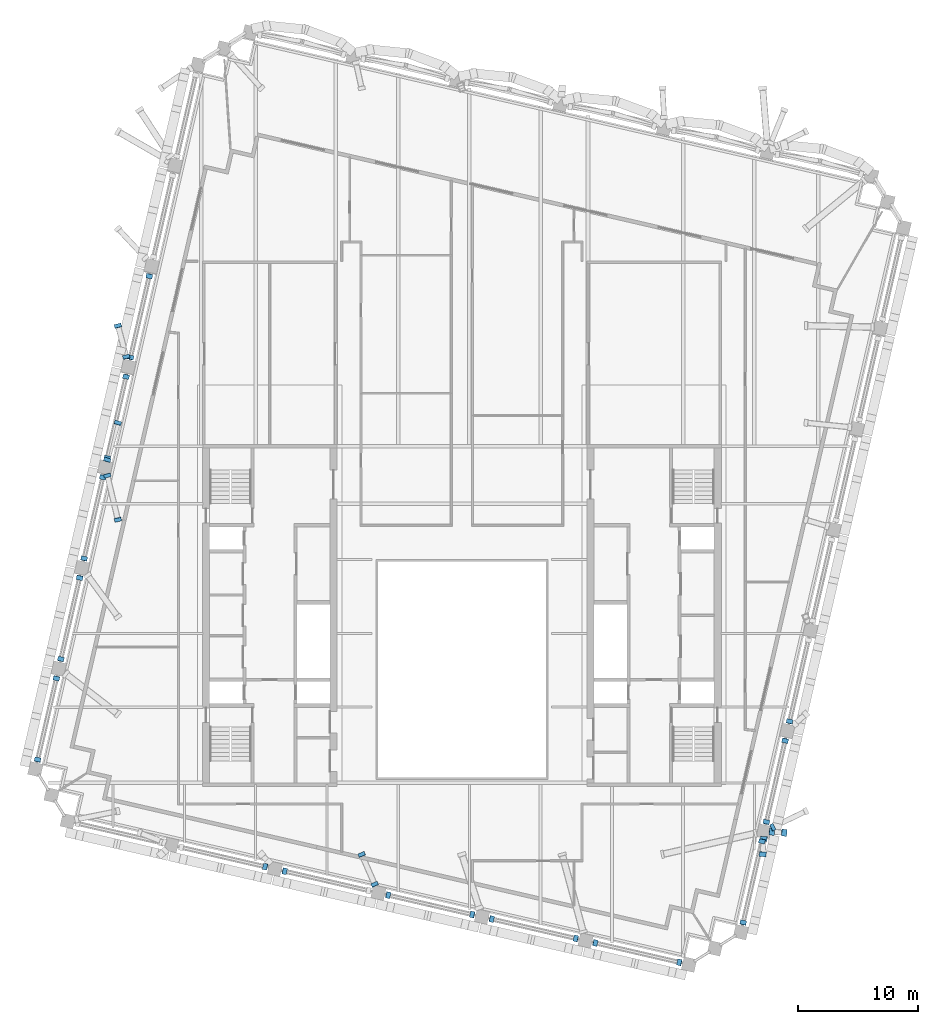
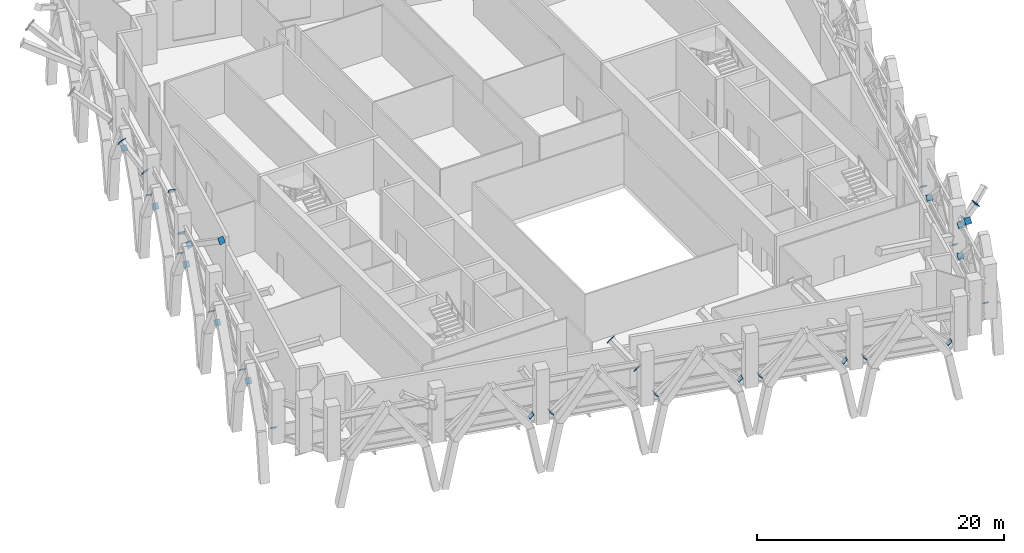
# One storey, part 14 of 19: 36 discrete accessories.
"""IFC4 building model written with IfcOpenShell, lengths in metres."""

from ifc_helpers import new_model, si_unit, direction, frame, origin, origin_2d, place, context, subcontext, project, spatial, rectangle, extrude, material, material_profile, profile_set, type_object, element, save


model = new_model("IFC4")

# Units and contexts
model_context = context("Model", 3, precision=1e-05, world=origin(), true_north=direction((0.0, 1.0)))
body_context = subcontext(model_context, "Body", "Model", "MODEL_VIEW")
ifc_project = project(units=[si_unit("LENGTHUNIT", "METRE"), si_unit("AREAUNIT", "SQUARE_METRE"), si_unit("VOLUMEUNIT", "CUBIC_METRE"), si_unit("PLANEANGLEUNIT", "RADIAN"), si_unit("MASSUNIT", "GRAM", prefix="KILO")], contexts=[model_context])

# Site, building, storey
site_placement = place(None, origin())
site = spatial("IfcSite", under=ifc_project, at=site_placement, CompositionType="ELEMENT")
building_placement = place(site_placement, origin())
building = spatial("IfcBuilding", under=site, at=building_placement, Name="Ogive Exchange Tower", CompositionType="ELEMENT")
storey_placement = place(building_placement, frame((0.0, 0.0, 297.60009765625)))
storey = spatial("IfcBuildingStorey", under=building, at=storey_placement, Name="L65", CompositionType="ELEMENT", Elevation=297.60009765625)

# Discrete accessories
ifc_material = material(Name="Steel ASTM A572 Gr50", Category="steel")
ifc_material_profile_1 = material_profile(ifc_material, rectangle(XDim=0.52587890625, YDim=0.52587890625, at=origin_2d()), Name="PL 526 x 526 x 25")
ifc_profile_set_1 = profile_set([ifc_material_profile_1], Name="Steel ASTM A572 Gr50")
discrete_accessory_type_1 = type_object("IfcDiscreteAccessoryType", Name="Gusset plate 526 x 526 x 25", PredefinedType="USERDEFINED", material=ifc_profile_set_1)
discrete_accessory_1_placement = place(storey_placement, frame((-16.377685546875, -9.431640625, 0.66796875), z_axis=(-0.716547696398, 0.166867271764, 0.677284808925), x_axis=(-0.226807835475, -0.973939528804, 0.0)))
element("IfcDiscreteAccessory", 1, at=discrete_accessory_1_placement, inside=storey, type_object=discrete_accessory_type_1, Name="Belt truss diagonal 2b end plate A", ObjectType="GUSSET PLATE", PredefinedType="USERDEFINED", context=body_context, shape_type="SweptSolid", body=[
    extrude(rectangle(XDim=0.52587890625, YDim=0.52587890625, at=origin_2d()), origin(), (0.0, 0.0, 1.0), 0.02490234375),
])
for number, where, z_axis, x_axis, name in (
    (2, (-14.770751953125, -9.802734375, 0.66796875), (0.721273600701, -0.16569798935, 0.672538897951), (0.223897510936, 0.974612694662, 0.0), "Belt truss diagonal 3a end plate A"),
    (3, (-6.147705078125, -11.79345703125, 0.66796875), (0.721273600701, -0.16569798935, 0.672538897951), (0.223897510936, 0.974612694662, 0.0), "Belt truss diagonal 4a end plate A"),
    (4, (0.868896484375, -13.413330078125, 0.66796875), (-0.721273600701, 0.16569798935, 0.672538897951), (-0.223897510936, -0.974612694662, 0.0), "Belt truss diagonal 4b end plate A"),
    (5, (2.4755859375, -13.7841796875, 0.66796875), (0.720077429581, -0.175153969358, 0.671423549204), (0.236351579148, 0.971667603162, 0.0), "Belt truss diagonal 5a end plate A"),
    (6, (9.491943359375, -15.404296875, 0.66796875), (-0.720077429581, 0.175153969358, 0.671423549204), (-0.236351579148, -0.971667603162, 0.0), "Belt truss diagonal 5b end plate A"),
):
    element("IfcDiscreteAccessory", number, at=place(storey_placement, frame(where, z_axis=z_axis, x_axis=x_axis)), inside=storey, type_object=discrete_accessory_type_1, Name=name, ObjectType="GUSSET PLATE", PredefinedType="USERDEFINED", context=body_context, shape_type="SweptSolid", body=[
        extrude(rectangle(XDim=0.52587890625, YDim=0.52587890625, at=origin_2d()), origin(), (0.0, 0.0, 1.0), 0.025146484375),
    ])
for number, where, z_axis, x_axis, name in (
    (7, (11.098876953125, -15.775146484375, 0.66796875), (0.716547696398, -0.166867271764, 0.677284808925), (0.226807835475, 0.973939528804, 0.0), "Belt truss diagonal 6a end plate A"),
    (8, (18.114990234375, -17.39501953125, 0.66796875), (-0.716547696398, 0.166867271764, 0.677284808925), (-0.226807835475, -0.973939528804, 0.0), "Belt truss diagonal 6b end plate A"),
    (9, (23.419921875, -14.0869140625, 0.66796875), (0.156255662749, 0.712916461293, 0.683618524527), (-0.976812641419, 0.214095921407, 0.0), "Belt truss diagonal 9a end plate A"),
):
    element("IfcDiscreteAccessory", number, at=place(storey_placement, frame(where, z_axis=z_axis, x_axis=x_axis)), inside=storey, type_object=discrete_accessory_type_1, Name=name, ObjectType="GUSSET PLATE", PredefinedType="USERDEFINED", context=body_context, shape_type="SweptSolid", body=[
        extrude(rectangle(XDim=0.52587890625, YDim=0.52587890625, at=origin_2d()), origin(), (0.0, 0.0, 1.0), 0.02490234375),
    ])
discrete_accessory_2_placement = place(storey_placement, frame((24.986083984375, -7.302734375, 0.66796875), z_axis=(-0.16576099239, -0.711797202617, 0.682545262784), x_axis=(0.973939528804, -0.226807835475, 0.0)))
element("IfcDiscreteAccessory", 10, at=discrete_accessory_2_placement, inside=storey, type_object=discrete_accessory_type_1, Name="Belt truss diagonal 9b end plate A", ObjectType="GUSSET PLATE", PredefinedType="USERDEFINED", context=body_context, shape_type="SweptSolid", body=[
    extrude(rectangle(XDim=0.52587890625, YDim=0.52587890625, at=origin_2d()), origin(), (0.0, 0.0, 1.0), 0.025146484375),
])
discrete_accessory_3_placement = place(storey_placement, frame((25.353515625, -5.711669921875, 0.66796875), z_axis=(0.156196085714, 0.722406896428, 0.673595619642), x_axis=(-0.97741416544, 0.211332792528, 0.0)))
element("IfcDiscreteAccessory", 11, at=discrete_accessory_3_placement, inside=storey, type_object=discrete_accessory_type_1, Name="Belt truss diagonal 10a end plate A", ObjectType="GUSSET PLATE", PredefinedType="USERDEFINED", context=body_context, shape_type="SweptSolid", body=[
    extrude(rectangle(XDim=0.52587890625, YDim=0.52587890625, at=origin_2d()), origin(), (0.0, 0.0, 1.0), 0.02490234375),
])
discrete_accessory_4_placement = place(storey_placement, frame((26.919677734375, 1.072509765625, 0.66796875), z_axis=(-0.165792520872, -0.7021800884, 0.692427587172), x_axis=(0.97323960179, -0.229792683756, 0.0)))
element("IfcDiscreteAccessory", 12, at=discrete_accessory_4_placement, inside=storey, type_object=discrete_accessory_type_1, Name="Belt truss diagonal 10b end plate A", ObjectType="GUSSET PLATE", PredefinedType="USERDEFINED", context=body_context, shape_type="SweptSolid", body=[
    extrude(rectangle(XDim=0.52587890625, YDim=0.52587890625, at=origin_2d()), origin(), (0.0, 0.0, 1.0), 0.025146484375),
])
for number, where, z_axis, x_axis, name in (
    (13, (27.287109375, 2.663818359375, 0.66796875), (0.156196085714, 0.722406896428, 0.673595619642), (-0.97741416544, 0.211332792528, 0.0), "Belt truss diagonal 11a end plate A"),
    (14, (-26.0341796875, 39.76318359375, 0.66796875), (-0.15734745153, -0.688395100443, 0.708063531884), (0.974858506572, -0.222824801502, 0.0), "Belt truss diagonal 28a end plate A"),
):
    element("IfcDiscreteAccessory", number, at=place(storey_placement, frame(where, z_axis=z_axis, x_axis=x_axis)), inside=storey, type_object=discrete_accessory_type_1, Name=name, ObjectType="GUSSET PLATE", PredefinedType="USERDEFINED", context=body_context, shape_type="SweptSolid", body=[
        extrude(rectangle(XDim=0.52587890625, YDim=0.52587890625, at=origin_2d()), origin(), (0.0, 0.0, 1.0), 0.02490234375),
    ])
discrete_accessory_5_placement = place(storey_placement, frame((-27.600341796875, 32.97900390625, 0.66796875), z_axis=(0.165603619344, 0.730604202988, 0.662414477376), x_axis=(-0.975260429307, 0.221059030643, 0.0)))
element("IfcDiscreteAccessory", 15, at=discrete_accessory_5_placement, inside=storey, type_object=discrete_accessory_type_1, Name="Belt truss diagonal 28b end plate A", ObjectType="GUSSET PLATE", PredefinedType="USERDEFINED", context=body_context, shape_type="SweptSolid", body=[
    extrude(rectangle(XDim=0.52587890625, YDim=0.52587890625, at=origin_2d()), origin(), (0.0, 0.0, 1.0), 0.025146484375),
])
for number, where, z_axis, x_axis, name in (
    (16, (-27.9677734375, 31.387939453125, 0.66796875), (-0.157362671093, -0.698296852974, 0.698296852974), (0.97553613825, -0.219839129747, 0.0), "Belt truss diagonal 29a end plate A"),
    (17, (-29.533935546875, 24.603759765625, 0.66796875), (0.166786942836, 0.72601375117, 0.667147771345), (-0.974612694662, 0.223897510936, 0.0), "Belt truss diagonal 29b end plate A"),
    (18, (-29.9013671875, 23.012451171875, 0.66796875), (-0.157362671093, -0.698296852974, 0.698296852974), (0.97553613825, -0.219839129747, 0.0), "Belt truss diagonal 30a end plate A"),
):
    element("IfcDiscreteAccessory", number, at=place(storey_placement, frame(where, z_axis=z_axis, x_axis=x_axis)), inside=storey, type_object=discrete_accessory_type_1, Name=name, ObjectType="GUSSET PLATE", PredefinedType="USERDEFINED", context=body_context, shape_type="SweptSolid", body=[
        extrude(rectangle(XDim=0.52587890625, YDim=0.52587890625, at=origin_2d()), origin(), (0.0, 0.0, 1.0), 0.02490234375),
    ])
for number, where, z_axis, x_axis, name in (
    (19, (-31.467529296875, 16.228271484375, 0.66796875), (0.16569798935, 0.721273600701, 0.672538897951), (-0.974612694662, 0.223897510936, 0.0), "Belt truss diagonal 30b end plate A"),
    (20, (-31.8349609375, 14.63720703125, 0.66796875), (-0.155215495936, -0.70817070021, 0.688768763218), (0.976812641419, -0.214095921407, 0.0), "Belt truss diagonal 31a end plate A"),
):
    element("IfcDiscreteAccessory", number, at=place(storey_placement, frame(where, z_axis=z_axis, x_axis=x_axis)), inside=storey, type_object=discrete_accessory_type_1, Name=name, ObjectType="GUSSET PLATE", PredefinedType="USERDEFINED", context=body_context, shape_type="SweptSolid", body=[
        extrude(rectangle(XDim=0.52587890625, YDim=0.52587890625, at=origin_2d()), origin(), (0.0, 0.0, 1.0), 0.025146484375),
    ])
for number, where, z_axis, x_axis, name in (
    (21, (-33.401123046875, 7.85302734375, 0.66796875), (0.166867271764, 0.716547696398, 0.677284808925), (-0.973939528804, 0.226807835475, 0.0), "Belt truss diagonal 31b end plate A"),
    (22, (-33.7685546875, 6.26171875, 0.66796875), (-0.166915524868, -0.706936340617, 0.687299220044), (0.97323960179, -0.229792683756, 0.0), "Belt truss diagonal 32a end plate A"),
):
    element("IfcDiscreteAccessory", number, at=place(storey_placement, frame(where, z_axis=z_axis, x_axis=x_axis)), inside=storey, type_object=discrete_accessory_type_1, Name=name, ObjectType="GUSSET PLATE", PredefinedType="USERDEFINED", context=body_context, shape_type="SweptSolid", body=[
        extrude(rectangle(XDim=0.52587890625, YDim=0.52587890625, at=origin_2d()), origin(), (0.0, 0.0, 1.0), 0.02490234375),
    ])
discrete_accessory_6_placement = place(storey_placement, frame((-35.334716796875, -0.5224609375, 0.66796875), z_axis=(0.16576099239, 0.711797202617, 0.682545262784), x_axis=(-0.973939528804, 0.226807835475, 0.0)))
element("IfcDiscreteAccessory", 23, at=discrete_accessory_6_placement, inside=storey, type_object=discrete_accessory_type_1, Name="Belt truss diagonal 32b end plate A", ObjectType="GUSSET PLATE", PredefinedType="USERDEFINED", context=body_context, shape_type="SweptSolid", body=[
    extrude(rectangle(XDim=0.52587890625, YDim=0.52587890625, at=origin_2d()), origin(), (0.0, 0.0, 1.0), 0.025146484375),
])
ifc_material_profile_2 = material_profile(ifc_material, rectangle(XDim=0.576904296875, YDim=0.576904296875, at=origin_2d()), Name="PL 577 x 577 x 25")
ifc_profile_set_2 = profile_set([ifc_material_profile_2], Name="Steel ASTM A572 Gr50")
discrete_accessory_type_2 = type_object("IfcDiscreteAccessoryType", Name="Gusset plate 577 x 577 x 25", PredefinedType="USERDEFINED", material=ifc_profile_set_2)
for number, where, z_axis, x_axis, name in (
    (24, (-7.258544921875, -10.90283203125, 3.062744140625), (-0.340900107111, 0.779200244825, 0.525960165257), (-0.916157334902, -0.40081883402, 0.0), "Block-change strut 3 end plate A"),
    (25, (-8.341552734375, -8.41943359375, 4.742431640625), (-0.340900107111, 0.779200244825, 0.525960165257), (-0.916157334902, -0.40081883402, 0.0), "Block-change strut 3 end plate B"),
):
    element("IfcDiscreteAccessory", number, at=place(storey_placement, frame(where, z_axis=z_axis, x_axis=x_axis)), inside=storey, type_object=discrete_accessory_type_2, Name=name, ObjectType="GUSSET PLATE", PredefinedType="USERDEFINED", context=body_context, shape_type="SweptSolid", body=[
        extrude(rectangle(XDim=0.576904296875, YDim=0.576904296875, at=origin_2d()), origin(), (0.0, 0.0, 1.0), 0.025146484375),
    ])
for number, where, z_axis, x_axis, name in (
    (26, (25.136474609375, -7.099853515625, 3.581787109375), (-0.049003125519, -0.735046882785, 0.676243132162), (0.997785157857, -0.066519010524, 0.0), "Block-change strut 7 end plate A"),
    (27, (25.05126953125, -8.381591796875, 4.764892578125), (-0.049003125519, -0.735046882785, 0.676243132162), (0.997785157857, -0.066519010524, 0.0), "Block-change strut 7 end plate B"),
    (28, (25.872314453125, -6.14306640625, 2.8427734375), (0.763240084796, 0.371834913106, 0.528396981782), (-0.43796942328, 0.898989868837, 0.0), "Block-change strut 8 end plate A"),
):
    element("IfcDiscreteAccessory", number, at=place(storey_placement, frame(where, z_axis=z_axis, x_axis=x_axis)), inside=storey, type_object=discrete_accessory_type_2, Name=name, ObjectType="GUSSET PLATE", PredefinedType="USERDEFINED", context=body_context, shape_type="SweptSolid", body=[
        extrude(rectangle(XDim=0.576904296875, YDim=0.576904296875, at=origin_2d()), origin(), (0.0, 0.0, 1.0), 0.02490234375),
    ])
discrete_accessory_7_placement = place(storey_placement, frame((-27.94921875, 33.0244140625, 3.08349609375), z_axis=(-0.214036544111, 0.81723044115, 0.535091360277), x_axis=(-0.96737222338, -0.253359391838, 0.0)))
element("IfcDiscreteAccessory", 29, at=discrete_accessory_7_placement, inside=storey, type_object=discrete_accessory_type_2, Name="Block-change strut 25 end plate A", ObjectType="GUSSET PLATE", PredefinedType="USERDEFINED", context=body_context, shape_type="SweptSolid", body=[
    extrude(rectangle(XDim=0.576904296875, YDim=0.576904296875, at=origin_2d()), origin(), (0.0, 0.0, 1.0), 0.025146484375),
])
for number, where, z_axis, x_axis, name in (
    (30, (-28.64453125, 35.608154296875, 4.742431640625), (-0.21514927826, 0.821479062447, 0.528093683001), (-0.96737222338, -0.253359391838, 0.0), "Block-change strut 25 end plate B"),
    (31, (-29.539794921875, 24.443115234375, 2.756103515625), (0.235554630626, 0.814626430914, 0.529997918908), (-0.960645574406, 0.277777033563, 0.0), "Block-change strut 26 end plate A"),
):
    element("IfcDiscreteAccessory", number, at=place(storey_placement, frame(where, z_axis=z_axis, x_axis=x_axis)), inside=storey, type_object=discrete_accessory_type_2, Name=name, ObjectType="GUSSET PLATE", PredefinedType="USERDEFINED", context=body_context, shape_type="SweptSolid", body=[
        extrude(rectangle(XDim=0.576904296875, YDim=0.576904296875, at=origin_2d()), origin(), (0.0, 0.0, 1.0), 0.02490234375),
    ])
for number, where, z_axis, x_axis, name in (
    (32, (-28.656005859375, 27.5224609375, 4.742431640625), (0.242855834413, 0.815995603627, 0.524568602332), (-0.958452078441, 0.285253594774, 0.0), "Block-change strut 26 end plate B"),
    (33, (-29.531494140625, 23.15673828125, 2.397705078125), (0.194800061206, -0.827900260126, 0.525960165257), (0.973417168334, 0.229039333726, 0.0), "Block-change strut 27 end plate A"),
    (34, (-28.65478515625, 19.477783203125, 4.742431640625), (0.194800061206, -0.827900260126, 0.525960165257), (0.973417168334, 0.229039333726, 0.0), "Block-change strut 27 end plate B"),
    (35, (25.802001953125, -6.5185546875, 3.599365234375), (0.660817352331, -0.058307413441, 0.748278472493), (0.087893810296, 0.996129850025, 0.0), "Block-change strut 31 end plate A"),
    (36, (26.83349609375, -6.5986328125, 4.780517578125), (0.660817352331, -0.058307413441, 0.748278472493), (0.087893810296, 0.996129850025, 0.0), "Block-change strut 31 end plate B"),
):
    element("IfcDiscreteAccessory", number, at=place(storey_placement, frame(where, z_axis=z_axis, x_axis=x_axis)), inside=storey, type_object=discrete_accessory_type_2, Name=name, ObjectType="GUSSET PLATE", PredefinedType="USERDEFINED", context=body_context, shape_type="SweptSolid", body=[
        extrude(rectangle(XDim=0.576904296875, YDim=0.576904296875, at=origin_2d()), origin(), (0.0, 0.0, 1.0), 0.025146484375),
    ])

save(model, "model.ifc")
